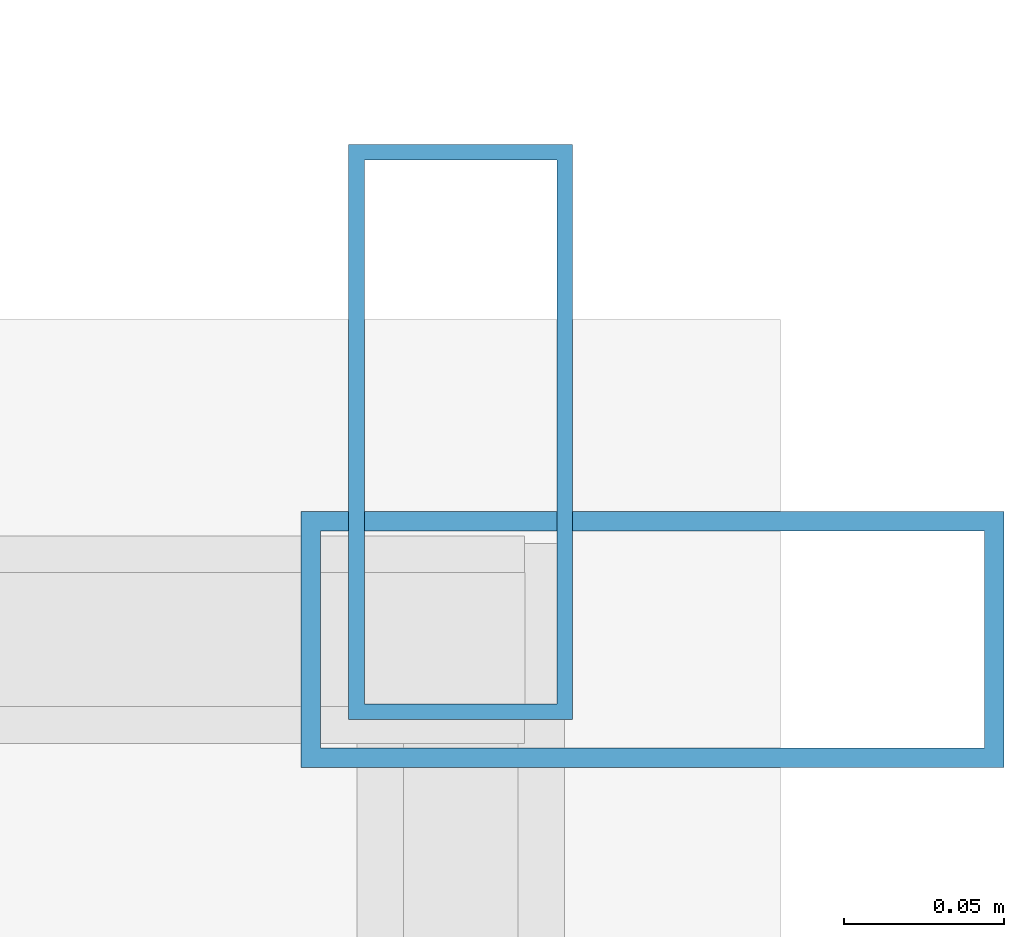
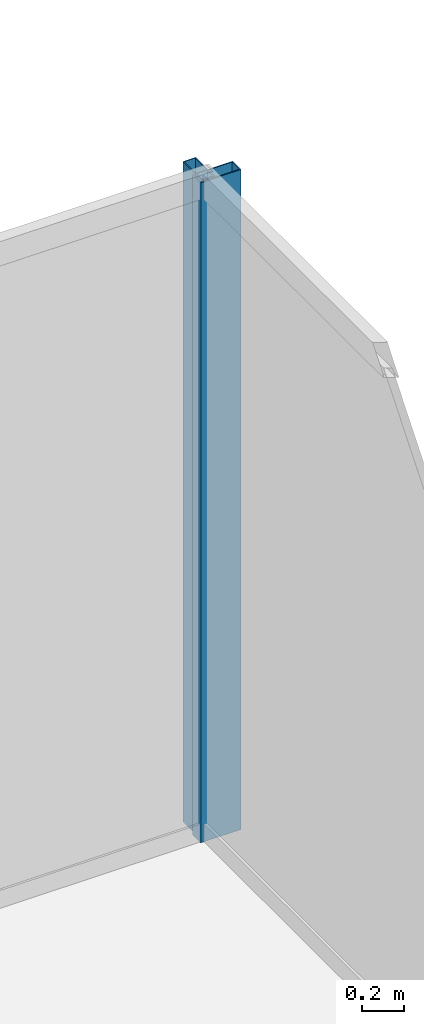
# One storey, part 26 of 33: 2 members, 2 elements without a shape of their own.
"""IFC4 building model written with IfcOpenShell, lengths in metres."""

from ifc_helpers import new_model, si_unit, direction, frame, origin, origin_2d, place, context, subcontext, project, spatial, hollow_rectangle, extrude, source, transform, mapped, material, layer, layer_set, material_profile, profile_set, type_object, type_shapes, element, aggregate, save


model = new_model("IFC4")

# Units and contexts
model_context = context("Model", 3, precision=1e-05, world=origin(), true_north=direction((0.0, 1.0)))
body_context = subcontext(model_context, "Body", "Model", "MODEL_VIEW")
ifc_project = project(units=[si_unit("LENGTHUNIT", "METRE"), si_unit("AREAUNIT", "SQUARE_METRE"), si_unit("VOLUMEUNIT", "CUBIC_METRE"), si_unit("PLANEANGLEUNIT", "RADIAN"), si_unit("MASSUNIT", "GRAM", prefix="KILO")], contexts=[model_context])

# Site, building, storey
site_placement = place(None, origin())
site = spatial("IfcSite", under=ifc_project, at=site_placement, CompositionType="ELEMENT")
building_placement = place(site_placement, origin())
building = spatial("IfcBuilding", under=site, at=building_placement, Name="Haelvirn Gate Laboratories", CompositionType="ELEMENT")
storey_placement = place(building_placement, frame((0.0, 0.0, 287.5)))
storey = spatial("IfcBuildingStorey", under=building, at=storey_placement, Name="L69", CompositionType="ELEMENT", Elevation=287.5)

# Curtain wall, member
ifc_material_1 = material(Name="Anodised bronze unitised aluminium & triple low-E glass", Category="aluminium")
ifc_layer_1 = layer(ifc_material_1, 0.176025390625, Name="CW-SYS-4")
ifc_layer_set_1 = layer_set([ifc_layer_1], Name="Anodised bronze unitised aluminium & triple low-E glass")
curtain_wall_type_1 = type_object("IfcCurtainWallType", Name="CW-SYS-4", PredefinedType="NOTDEFINED", material=ifc_layer_set_1)
curtain_wall_1_placement = place(storey_placement, origin())
curtain_wall_1 = element("IfcCurtainWall", 1, at=curtain_wall_1_placement, inside=storey, type_object=curtain_wall_type_1, Name="L69 Unitised Curtain Wall CW-L69-P0-E07", PredefinedType="NOTDEFINED")
ifc_material_2 = material(Name="Extruded aluminium 6063-T6 (anodised bronze)", Category="aluminium")
ifc_material_profile_1 = material_profile(ifc_material_2, hollow_rectangle(XDim=0.070068359375, YDim=0.179931640625, WallThickness=0.0048828125, at=origin_2d()), Name="CWM-180x70x5")
ifc_profile_set_1 = profile_set([ifc_material_profile_1], Name="Extruded aluminium 6063-T6 (anodised bronze)")
member_type_1 = type_object("IfcMemberType", Name="CWM-T180", PredefinedType="MULLION", material=ifc_profile_set_1)
shared_shape_1 = source(origin(), body_context, "Body", "SweptSolid", [
    extrude(hollow_rectangle(XDim=0.070068359375, YDim=0.179931640625, WallThickness=0.0048828125, at=origin_2d()), origin(), (0.0, 0.0, 1.0), 3.800048828125),
])
type_shapes(member_type_1, [shared_shape_1])
member_1_placement = place(storey_placement, frame((70.699951171875, 42.764892578125, 0.0), z_axis=(0.0, 0.0, 1.0), x_axis=(-1.0, 0.0, 0.0)))
member_1 = element("IfcMember", 2, at=member_1_placement, type_object=member_type_1, Name="CW4 mullion 3", PredefinedType="MULLION", context=body_context, shape_type="MappedRepresentation", body=[
    mapped(shared_shape_1, transform((0.0, 0.0, 0.0), scale=1.0)),
])
aggregate(curtain_wall_1, [member_1])

ifc_layer_2 = layer(ifc_material_1, 0.181884765625, Name="CW-SYS-5")
ifc_layer_set_2 = layer_set([ifc_layer_2], Name="Anodised bronze unitised aluminium & triple low-E glass")
curtain_wall_type_2 = type_object("IfcCurtainWallType", Name="CW-SYS-5", PredefinedType="NOTDEFINED", material=ifc_layer_set_2)
curtain_wall_2_placement = place(storey_placement, origin())
curtain_wall_2 = element("IfcCurtainWall", 3, at=curtain_wall_2_placement, inside=storey, type_object=curtain_wall_type_2, Name="L69 Unitised Curtain Wall CW-L69-P0-E08-1", PredefinedType="NOTDEFINED")
ifc_material_profile_2 = material_profile(ifc_material_2, hollow_rectangle(XDim=0.080078125, YDim=0.219970703125, WallThickness=0.006103515625, at=origin_2d()), Name="CWM-220x80x6")
ifc_profile_set_2 = profile_set([ifc_material_profile_2], Name="Extruded aluminium 6063-T6 (anodised bronze)")
member_type_2 = type_object("IfcMemberType", Name="CWM-T220", PredefinedType="MULLION", material=ifc_profile_set_2)
shared_shape_2 = source(origin(), body_context, "Body", "SweptSolid", [
    extrude(hollow_rectangle(XDim=0.080078125, YDim=0.219970703125, WallThickness=0.006103515625, at=origin_2d()), origin(), (0.0, 0.0, 1.0), 3.800048828125),
])
type_shapes(member_type_2, [shared_shape_2])
member_2_placement = place(storey_placement, frame((70.760009765625, 42.699951171875, 0.0), z_axis=(0.0, 0.0, 1.0), x_axis=(0.0, 1.0, 0.0)))
member_2 = element("IfcMember", 4, at=member_2_placement, type_object=member_type_2, Name="CW5 mullion 2", PredefinedType="MULLION", context=body_context, shape_type="MappedRepresentation", body=[
    mapped(shared_shape_2, transform((0.0, 0.0, 0.0), scale=1.0)),
])
aggregate(curtain_wall_2, [member_2])

save(model, "model.ifc")
